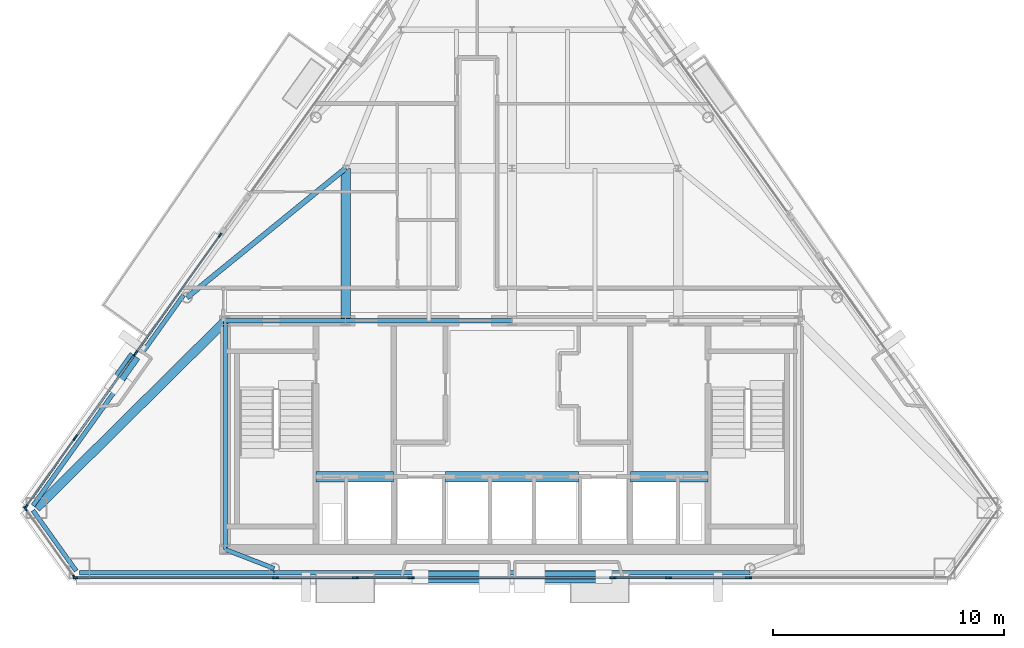
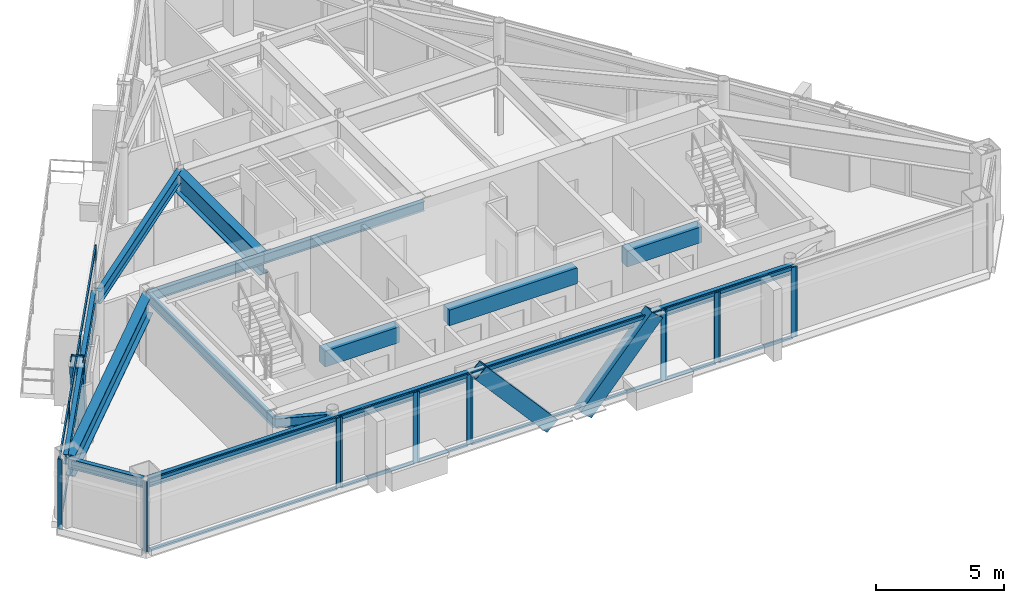
# One storey, part 4 of 12: 42 members, 14 beams, 11 elements without a shape of their own.
"""IFC4 building model written with IfcOpenShell, lengths in metres."""

from ifc_helpers import new_model, si_unit, direction, frame, origin, origin_2d, place, context, subcontext, project, spatial, rectangle, hollow_rectangle, i_section, extrude, material, layer, layer_set, material_profile, profile_set, type_object, element, aggregate, save


model = new_model("IFC4")

# Units and contexts
model_context = context("Model", 3, precision=1e-05, world=origin(), true_north=direction((0.0, 1.0)))
body_context = subcontext(model_context, "Body", "Model", "MODEL_VIEW")
ifc_project = project(units=[si_unit("LENGTHUNIT", "METRE"), si_unit("AREAUNIT", "SQUARE_METRE"), si_unit("VOLUMEUNIT", "CUBIC_METRE"), si_unit("PLANEANGLEUNIT", "RADIAN"), si_unit("MASSUNIT", "GRAM", prefix="KILO")], contexts=[model_context])

# Site, building, storey
site_placement = place(None, origin())
site = spatial("IfcSite", under=ifc_project, at=site_placement, CompositionType="ELEMENT")
building_placement = place(site_placement, origin())
building = spatial("IfcBuilding", under=site, at=building_placement, Name="Talgorran Terracotta Tower", CompositionType="ELEMENT")
storey_placement = place(building_placement, frame((0.0, 0.0, 263.39990234375)))
storey = spatial("IfcBuildingStorey", under=building, at=storey_placement, Name="L69", CompositionType="ELEMENT", Elevation=263.39990234375)

# Beams
ifc_material_1 = material(Name="Steel Grade 350 (350L0)", Category="steel")
ifc_material_profile_1 = material_profile(ifc_material_1, i_section(OverallWidth=0.39990234375, OverallDepth=1.0, WebThickness=0.01611328125, FlangeThickness=0.031005859375, at=origin_2d()), Name="1000WB296")
ifc_profile_set_1 = profile_set([ifc_material_profile_1], Name="Steel Grade 350 (350L0)")
beam_type_1 = type_object("IfcBeamType", Name="BM_1000WB296", PredefinedType="BEAM", material=ifc_profile_set_1)
beam_1_placement = place(storey_placement, frame((-7.199951171875, -4.199951171875, 2.84521484375), z_axis=(0.0, 1.0, 0.0), x_axis=(-1.0, 0.0, 0.0)))
element("IfcBeam", 1, at=beam_1_placement, inside=storey, type_object=beam_type_1, Name="L69 Floor Girder G01", PredefinedType="BEAM", context=body_context, shape_type="SweptSolid", body=[
    extrude(i_section(OverallWidth=0.39990234375, OverallDepth=1.0, WebThickness=0.01611328125, FlangeThickness=0.031005859375, at=origin_2d()), origin(), (0.0, 0.0, 1.0), 6.599853515625),
])
beam_2_placement = place(storey_placement, frame((-12.39990234375, -4.199951171875, 2.84521484375), z_axis=(-0.710637755688, -0.703558085868, 0.0), x_axis=(0.703558085868, -0.710637755688, 0.0)))
element("IfcBeam", 2, at=beam_2_placement, inside=storey, type_object=beam_type_1, Name="L69 Floor Girder G17", PredefinedType="BEAM", context=body_context, shape_type="SweptSolid", body=[
    extrude(i_section(OverallWidth=0.39990234375, OverallDepth=1.0, WebThickness=0.01611328125, FlangeThickness=0.031005859375, at=origin_2d()), origin(), (0.0, 0.0, 1.0), 11.517822265625),
])
ifc_material_2 = material(Name="Steel S355 (300PLUS)", Category="steel")
ifc_material_profile_2 = material_profile(ifc_material_2, i_section(OverallWidth=0.22802734375, OverallDepth=0.60205078125, WebThickness=0.010498046875, FlangeThickness=0.014892578125, at=origin_2d()), Name="610UB101")
ifc_profile_set_2 = profile_set([ifc_material_profile_2], Name="Steel S355 (300PLUS)")
beam_type_2 = type_object("IfcBeamType", Name="BM_610UB101", PredefinedType="BEAM", material=ifc_profile_set_2)
beam_3_placement = place(storey_placement, frame((-7.199951171875, 2.39990234375, 3.044189453125), z_axis=(-0.775393850299, -0.631477930667, 0.0), x_axis=(0.631477930667, -0.775393850299, 0.0)))
element("IfcBeam", 3, at=beam_3_placement, inside=storey, type_object=beam_type_2, Name="L69 Floor Girder G06", PredefinedType="BEAM", context=body_context, shape_type="SweptSolid", body=[
    extrude(i_section(OverallWidth=0.22802734375, OverallDepth=0.60205078125, WebThickness=0.010498046875, FlangeThickness=0.014892578125, at=origin_2d()), origin(), (0.0, 0.0, 1.0), 8.862060546875),
])
ifc_material_3 = material(Name="Concrete C50/60", Category="concrete")
ifc_material_profile_3 = material_profile(ifc_material_3, rectangle(XDim=0.449951171875, YDim=0.75, at=origin_2d()), Name="RCCB450X750")
ifc_profile_set_3 = profile_set([ifc_material_profile_3], Name="Concrete C50/60")
beam_type_3 = type_object("IfcBeamType", Name="BM_CB_450X750", PredefinedType="LINTEL", material=ifc_profile_set_3)
beam_4_placement = place(storey_placement, frame((-8.47998046875, -10.949951171875, 2.97021484375), z_axis=(1.0, 0.0, 0.0), x_axis=(0.0, 1.0, 0.0)))
element("IfcBeam", 4, at=beam_4_placement, inside=storey, type_object=beam_type_3, Name="L69 Core Shear-Wall Coupling Beam CB1", PredefinedType="LINTEL", context=body_context, shape_type="SweptSolid", body=[
    extrude(rectangle(XDim=0.449951171875, YDim=0.75, at=origin_2d()), origin(), (0.0, 0.0, 1.0), 3.35986328125),
])
beam_5_placement = place(storey_placement, frame((-2.8798828125, -10.949951171875, 2.97021484375), z_axis=(1.0, 0.0, 0.0), x_axis=(0.0, 1.0, 0.0)))
element("IfcBeam", 5, at=beam_5_placement, inside=storey, type_object=beam_type_3, Name="L69 Core Shear-Wall Coupling Beam CB2", PredefinedType="LINTEL", context=body_context, shape_type="SweptSolid", body=[
    extrude(rectangle(XDim=0.449951171875, YDim=0.75, at=origin_2d()), origin(), (0.0, 0.0, 1.0), 5.759765625),
])
beam_6_placement = place(storey_placement, frame((5.1201171875, -10.949951171875, 2.97021484375), z_axis=(1.0, 0.0, 0.0), x_axis=(0.0, 1.0, 0.0)))
element("IfcBeam", 6, at=beam_6_placement, inside=storey, type_object=beam_type_3, Name="L69 Core Shear-Wall Coupling Beam CB3", PredefinedType="LINTEL", context=body_context, shape_type="SweptSolid", body=[
    extrude(rectangle(XDim=0.449951171875, YDim=0.75, at=origin_2d()), origin(), (0.0, 0.0, 1.0), 3.35986328125),
])
ifc_material_profile_4 = material_profile(ifc_material_2, i_section(OverallWidth=0.18994140625, OverallDepth=0.45703125, WebThickness=0.009033203125, FlangeThickness=0.014404296875, at=origin_2d()), Name="460UB74.6")
ifc_profile_set_4 = profile_set([ifc_material_profile_4], Name="Steel S355 (300PLUS)")
beam_type_4 = type_object("IfcBeamType", Name="BM_SP_460UB74", PredefinedType="SPANDREL", material=ifc_profile_set_4)
beam_7_placement = place(storey_placement, frame((-20.731201171875, -12.408203125, 3.11669921875), z_axis=(0.581733647308, -0.8133793479, 0.0), x_axis=(0.8133793479, 0.581733647308, 0.0)))
element("IfcBeam", 7, at=beam_7_placement, inside=storey, type_object=beam_type_4, Name="L69 Perimeter Spandrel Beam MC1-MC2", PredefinedType="SPANDREL", context=body_context, shape_type="SweptSolid", body=[
    extrude(i_section(OverallWidth=0.18994140625, OverallDepth=0.45703125, WebThickness=0.009033203125, FlangeThickness=0.014404296875, at=origin_2d()), origin(), (0.0, 0.0, 1.0), 3.215576171875),
])
beam_8_placement = place(storey_placement, frame((-18.71435546875, -15.098876953125, 3.11669921875), z_axis=(1.0, 0.0, 0.0), x_axis=(0.0, 1.0, 0.0)))
element("IfcBeam", 8, at=beam_8_placement, inside=storey, type_object=beam_type_4, Name="L69 Perimeter Spandrel Beam MC2-FC1", PredefinedType="SPANDREL", context=body_context, shape_type="SweptSolid", body=[
    extrude(i_section(OverallWidth=0.18994140625, OverallDepth=0.45703125, WebThickness=0.009033203125, FlangeThickness=0.014404296875, at=origin_2d()), origin(), (0.0, 0.0, 1.0), 8.42138671875),
])
beam_9_placement = place(storey_placement, frame((-10.29296875, -15.098876953125, 3.11669921875), z_axis=(1.0, 0.0, 0.0), x_axis=(0.0, 1.0, 0.0)))
element("IfcBeam", 9, at=beam_9_placement, inside=storey, type_object=beam_type_4, Name="L69 Perimeter Spandrel Beam FC1-FC2", PredefinedType="SPANDREL", context=body_context, shape_type="SweptSolid", body=[
    extrude(i_section(OverallWidth=0.18994140625, OverallDepth=0.45703125, WebThickness=0.009033203125, FlangeThickness=0.014404296875, at=origin_2d()), origin(), (0.0, 0.0, 1.0), 20.5859375),
])
beam_10_placement = place(storey_placement, frame((-14.218017578125, -3.091796875, 3.11669921875), z_axis=(-0.581724880889, -0.813385617622, 0.0), x_axis=(0.813385617622, -0.581724880889, 0.0)))
element("IfcBeam", 10, at=beam_10_placement, inside=storey, type_object=beam_type_4, Name="L69 Perimeter Spandrel Beam FC6-MC1", PredefinedType="SPANDREL", context=body_context, shape_type="SweptSolid", body=[
    extrude(i_section(OverallWidth=0.18994140625, OverallDepth=0.45703125, WebThickness=0.009033203125, FlangeThickness=0.014404296875, at=origin_2d()), origin(), (0.0, 0.0, 1.0), 11.1962890625),
])
beam_11_placement = place(storey_placement, frame((-10.29296875, -14.9189453125, 3.11669921875), z_axis=(-0.932081672707, 0.362248195859, 0.0), x_axis=(-0.362248195859, -0.932081672707, 0.0)))
element("IfcBeam", 11, at=beam_11_placement, inside=storey, type_object=beam_type_4, Name="L69 South-West Core Tie Beam", PredefinedType="SPANDREL", context=body_context, shape_type="SweptSolid", body=[
    extrude(i_section(OverallWidth=0.18994140625, OverallDepth=0.45703125, WebThickness=0.009033203125, FlangeThickness=0.014404296875, at=origin_2d()), origin(), (0.0, 0.0, 1.0), 2.260498046875),
])
beam_12_placement = place(storey_placement, frame((-12.39990234375, -14.10009765625, 3.11669921875), z_axis=(0.0, 1.0, 0.0), x_axis=(-1.0, 0.0, 0.0)))
element("IfcBeam", 12, at=beam_12_placement, inside=storey, type_object=beam_type_4, Name="L69 Core Frame Beam CFW", PredefinedType="SPANDREL", context=body_context, shape_type="SweptSolid", body=[
    extrude(i_section(OverallWidth=0.18994140625, OverallDepth=0.45703125, WebThickness=0.009033203125, FlangeThickness=0.014404296875, at=origin_2d()), origin(), (0.0, 0.0, 1.0), 9.900146484375),
])
beam_13_placement = place(storey_placement, frame((-12.39990234375, -4.199951171875, 3.11669921875), z_axis=(1.0, 0.0, 0.0), x_axis=(0.0, 1.0, 0.0)))
element("IfcBeam", 13, at=beam_13_placement, inside=storey, type_object=beam_type_4, Name="L69 Core Frame Beam CFN1", PredefinedType="SPANDREL", context=body_context, shape_type="SweptSolid", body=[
    extrude(i_section(OverallWidth=0.18994140625, OverallDepth=0.45703125, WebThickness=0.009033203125, FlangeThickness=0.014404296875, at=origin_2d()), origin(), (0.0, 0.0, 1.0), 5.199951171875),
])
beam_14_placement = place(storey_placement, frame((-7.199951171875, -4.199951171875, 3.11669921875), z_axis=(1.0, 0.0, 0.0), x_axis=(0.0, 1.0, 0.0)))
element("IfcBeam", 14, at=beam_14_placement, inside=storey, type_object=beam_type_4, Name="L69 Core Frame Beam CFN2", PredefinedType="SPANDREL", context=body_context, shape_type="SweptSolid", body=[
    extrude(i_section(OverallWidth=0.18994140625, OverallDepth=0.45703125, WebThickness=0.009033203125, FlangeThickness=0.014404296875, at=origin_2d()), origin(), (0.0, 0.0, 1.0), 7.199951171875),
])

# Members
ifc_material_profile_5 = material_profile(ifc_material_1, hollow_rectangle(XDim=0.52001953125, YDim=0.659912109375, WallThickness=0.034912109375, at=origin_2d()), Name="WBOX660X520X35")
ifc_profile_set_5 = profile_set([ifc_material_profile_5], Name="Steel Grade 350 (350L0)")
member_type_1 = type_object("IfcMemberType", Name="MB_MEGA_660", PredefinedType="BRACE", material=ifc_profile_set_5)
for number, where, z_axis, x_axis, name in (
    (15, (-0.756103515625, -15.27880859375, -0.27490234375), (-0.661239328475, 0.0, 0.750175013232), (0.0, -1.0, 0.0), "L69 Exterior Face Mega-Brace MB-3 (SWF)"),
    (16, (0.756103515625, -15.27880859375, -0.27490234375), (0.661239328475, 0.0, 0.750175013232), (0.0, 1.0, 0.0), "L69 Exterior Face Mega-Brace MB-3 (SEF)"),
):
    element("IfcMember", number, at=place(storey_placement, frame(where, z_axis=z_axis, x_axis=x_axis)), inside=storey, type_object=member_type_1, Name=name, PredefinedType="BRACE", context=body_context, shape_type="SweptSolid", body=[
        extrude(hollow_rectangle(XDim=0.52001953125, YDim=0.659912109375, WallThickness=0.034912109375, at=origin_2d()), origin(), (0.0, 0.0, 1.0), 4.85888671875),
    ])
member_1_placement = place(storey_placement, frame((-16.499267578125, -5.97216796875, -0.27490234375), z_axis=(-0.181952212271, -0.254351379252, 0.94984144378), x_axis=(0.813320904376, -0.581815354306, 0.0)))
element("IfcMember", 17, at=member_1_placement, inside=storey, type_object=member_type_1, Name="L69 Exterior Face Mega-Brace MB-3 (NWL)", PredefinedType="BRACE", context=body_context, shape_type="SweptSolid", body=[
    extrude(hollow_rectangle(XDim=0.52001953125, YDim=0.659912109375, WallThickness=0.034912109375, at=origin_2d()), origin(), (0.0, 0.0, 1.0), 3.83740234375),
])

# Curtain wall, members
ifc_material_4 = material(Name="High-Wind Unitised Glazing", Category="glass")
ifc_layer = layer(ifc_material_4, 0.2099609375, Name="CW_SYS3_RES_HIGH")
ifc_layer_set = layer_set([ifc_layer], Name="High-Wind Unitised Glazing")
curtain_wall_type = type_object("IfcCurtainWallType", Name="CW_SYS3_RES_HIGH", PredefinedType="NOTDEFINED", material=ifc_layer_set)
curtain_wall_1_placement = place(storey_placement, origin())
curtain_wall_1 = element("IfcCurtainWall", 18, at=curtain_wall_1_placement, inside=storey, type_object=curtain_wall_type, Name="CW-L69-F0", PredefinedType="NOTDEFINED")
ifc_material_5 = material(Name="Architectural Aluminium 6063-T6", Category="aluminium")
ifc_material_profile_6 = material_profile(ifc_material_5, rectangle(XDim=0.070068359375, YDim=0.199951171875, at=origin_2d()), Name="CWM70X200")
ifc_profile_set_6 = profile_set([ifc_material_profile_6], Name="Architectural Aluminium 6063-T6")
member_type_2 = type_object("IfcMemberType", Name="MUL_70X200", PredefinedType="MULLION", material=ifc_profile_set_6)
member_2_placement = place(storey_placement, frame((-21.056396484375, -12.33203125, 0.0), z_axis=(0.0, 0.0, 1.0), x_axis=(0.813370623345, 0.581745845777, 0.0)))
member_2 = element("IfcMember", 19, at=member_2_placement, type_object=member_type_2, Name="CW-L69-0 mullion 1", PredefinedType="MULLION", context=body_context, shape_type="SweptSolid", body=[
    extrude(rectangle(XDim=0.070068359375, YDim=0.199951171875, at=origin_2d()), origin(), (0.0, 0.0, 1.0), 3.34521484375),
])
member_3_placement = place(storey_placement, frame((-18.9404296875, -15.29052734375, 0.0), z_axis=(0.0, 0.0, 1.0), x_axis=(0.813370623345, 0.581745845777, 0.0)))
member_3 = element("IfcMember", 20, at=member_3_placement, type_object=member_type_2, Name="CW-L69-0 mullion 2", PredefinedType="MULLION", context=body_context, shape_type="SweptSolid", body=[
    extrude(rectangle(XDim=0.070068359375, YDim=0.199951171875, at=origin_2d()), origin(), (0.0, 0.0, 1.0), 3.34521484375),
])
aggregate(curtain_wall_1, [member_2, member_3])

curtain_wall_2_placement = place(storey_placement, origin())
curtain_wall_2 = element("IfcCurtainWall", 21, at=curtain_wall_2_placement, inside=storey, type_object=curtain_wall_type, Name="CW-L69-F1", PredefinedType="NOTDEFINED")
member_4_placement = place(storey_placement, frame((-18.885009765625, -15.31884765625, 0.0), z_axis=(0.0, 0.0, 1.0), x_axis=(0.0, 1.0, 0.0)))
member_4 = element("IfcMember", 22, at=member_4_placement, type_object=member_type_2, Name="CW-L69-1 mullion 1", PredefinedType="MULLION", context=body_context, shape_type="SweptSolid", body=[
    extrude(rectangle(XDim=0.070068359375, YDim=0.199951171875, at=origin_2d()), origin(), (0.0, 0.0, 1.0), 3.34521484375),
])
member_5_placement = place(storey_placement, frame((-10.278076171875, -15.31884765625, 0.0), z_axis=(0.0, 0.0, 1.0), x_axis=(0.0, 1.0, 0.0)))
member_5 = element("IfcMember", 23, at=member_5_placement, type_object=member_type_2, Name="CW-L69-1 mullion 2", PredefinedType="MULLION", context=body_context, shape_type="SweptSolid", body=[
    extrude(rectangle(XDim=0.070068359375, YDim=0.199951171875, at=origin_2d()), origin(), (0.0, 0.0, 1.0), 3.34521484375),
])

curtain_wall_3_placement = place(storey_placement, origin())
curtain_wall_3 = element("IfcCurtainWall", 24, at=curtain_wall_3_placement, inside=storey, type_object=curtain_wall_type, Name="CW-L69-F1B", PredefinedType="NOTDEFINED")
member_6_placement = place(storey_placement, frame((-10.197998046875, -15.31884765625, 0.0), z_axis=(0.0, 0.0, 1.0), x_axis=(0.0, 1.0, 0.0)))
member_6 = element("IfcMember", 25, at=member_6_placement, type_object=member_type_2, Name="CW-L69-1B mullion 1", PredefinedType="MULLION", context=body_context, shape_type="SweptSolid", body=[
    extrude(rectangle(XDim=0.070068359375, YDim=0.199951171875, at=origin_2d()), origin(), (0.0, 0.0, 1.0), 3.34521484375),
])
member_7_placement = place(storey_placement, frame((-6.8115234375, -15.31884765625, 0.0), z_axis=(0.0, 0.0, 1.0), x_axis=(0.0, 1.0, 0.0)))
member_7 = element("IfcMember", 26, at=member_7_placement, type_object=member_type_2, Name="CW-L69-1B mullion 2", PredefinedType="MULLION", context=body_context, shape_type="SweptSolid", body=[
    extrude(rectangle(XDim=0.070068359375, YDim=0.199951171875, at=origin_2d()), origin(), (0.0, 0.0, 1.0), 3.34521484375),
])

curtain_wall_4_placement = place(storey_placement, origin())
curtain_wall_4 = element("IfcCurtainWall", 27, at=curtain_wall_4_placement, inside=storey, type_object=curtain_wall_type, Name="CW-L69-F1C", PredefinedType="NOTDEFINED")
member_8_placement = place(storey_placement, frame((-6.7314453125, -15.31884765625, 0.0), z_axis=(0.0, 0.0, 1.0), x_axis=(0.0, 1.0, 0.0)))
member_8 = element("IfcMember", 28, at=member_8_placement, type_object=member_type_2, Name="CW-L69-1C mullion 1", PredefinedType="MULLION", context=body_context, shape_type="SweptSolid", body=[
    extrude(rectangle(XDim=0.070068359375, YDim=0.199951171875, at=origin_2d()), origin(), (0.0, 0.0, 1.0), 3.34521484375),
])
member_9_placement = place(storey_placement, frame((-4.406494140625, -15.31884765625, 0.0), z_axis=(0.0, 0.0, 1.0), x_axis=(0.0, 1.0, 0.0)))
member_9 = element("IfcMember", 29, at=member_9_placement, type_object=member_type_2, Name="CW-L69-1C mullion 2", PredefinedType="MULLION", context=body_context, shape_type="SweptSolid", body=[
    extrude(rectangle(XDim=0.070068359375, YDim=0.199951171875, at=origin_2d()), origin(), (0.0, 0.0, 1.0), 3.34521484375),
])

curtain_wall_5_placement = place(storey_placement, origin())
curtain_wall_5 = element("IfcCurtainWall", 30, at=curtain_wall_5_placement, inside=storey, type_object=curtain_wall_type, Name="CW-L69-F1D", PredefinedType="NOTDEFINED")
member_10_placement = place(storey_placement, frame((-4.326416015625, -15.31884765625, 0.0), z_axis=(0.0, 0.0, 1.0), x_axis=(0.0, 1.0, 0.0)))
member_10 = element("IfcMember", 31, at=member_10_placement, type_object=member_type_2, Name="CW-L69-1D mullion 1", PredefinedType="MULLION", context=body_context, shape_type="SweptSolid", body=[
    extrude(rectangle(XDim=0.070068359375, YDim=0.199951171875, at=origin_2d()), origin(), (0.0, 0.0, 1.0), 3.34521484375),
])
member_11_placement = place(storey_placement, frame((4.326416015625, -15.31884765625, 0.0), z_axis=(0.0, 0.0, 1.0), x_axis=(0.0, 1.0, 0.0)))
member_11 = element("IfcMember", 32, at=member_11_placement, type_object=member_type_2, Name="CW-L69-1D mullion 2", PredefinedType="MULLION", context=body_context, shape_type="SweptSolid", body=[
    extrude(rectangle(XDim=0.070068359375, YDim=0.199951171875, at=origin_2d()), origin(), (0.0, 0.0, 1.0), 3.34521484375),
])

curtain_wall_6_placement = place(storey_placement, origin())
curtain_wall_6 = element("IfcCurtainWall", 33, at=curtain_wall_6_placement, inside=storey, type_object=curtain_wall_type, Name="CW-L69-F1E", PredefinedType="NOTDEFINED")
member_12_placement = place(storey_placement, frame((4.406494140625, -15.31884765625, 0.0), z_axis=(0.0, 0.0, 1.0), x_axis=(0.0, 1.0, 0.0)))
member_12 = element("IfcMember", 34, at=member_12_placement, type_object=member_type_2, Name="CW-L69-1E mullion 1", PredefinedType="MULLION", context=body_context, shape_type="SweptSolid", body=[
    extrude(rectangle(XDim=0.070068359375, YDim=0.199951171875, at=origin_2d()), origin(), (0.0, 0.0, 1.0), 3.34521484375),
])
member_13_placement = place(storey_placement, frame((6.7314453125, -15.31884765625, 0.0), z_axis=(0.0, 0.0, 1.0), x_axis=(0.0, 1.0, 0.0)))
member_13 = element("IfcMember", 35, at=member_13_placement, type_object=member_type_2, Name="CW-L69-1E mullion 2", PredefinedType="MULLION", context=body_context, shape_type="SweptSolid", body=[
    extrude(rectangle(XDim=0.070068359375, YDim=0.199951171875, at=origin_2d()), origin(), (0.0, 0.0, 1.0), 3.34521484375),
])

curtain_wall_7_placement = place(storey_placement, origin())
curtain_wall_7 = element("IfcCurtainWall", 36, at=curtain_wall_7_placement, inside=storey, type_object=curtain_wall_type, Name="CW-L69-F1F", PredefinedType="NOTDEFINED")
member_14_placement = place(storey_placement, frame((6.8115234375, -15.31884765625, 0.0), z_axis=(0.0, 0.0, 1.0), x_axis=(0.0, 1.0, 0.0)))
member_14 = element("IfcMember", 37, at=member_14_placement, type_object=member_type_2, Name="CW-L69-1F mullion 1", PredefinedType="MULLION", context=body_context, shape_type="SweptSolid", body=[
    extrude(rectangle(XDim=0.070068359375, YDim=0.199951171875, at=origin_2d()), origin(), (0.0, 0.0, 1.0), 3.34521484375),
])
member_15_placement = place(storey_placement, frame((10.197998046875, -15.31884765625, 0.0), z_axis=(0.0, 0.0, 1.0), x_axis=(0.0, 1.0, 0.0)))
member_15 = element("IfcMember", 38, at=member_15_placement, type_object=member_type_2, Name="CW-L69-1F mullion 2", PredefinedType="MULLION", context=body_context, shape_type="SweptSolid", body=[
    extrude(rectangle(XDim=0.070068359375, YDim=0.199951171875, at=origin_2d()), origin(), (0.0, 0.0, 1.0), 3.34521484375),
])

# Curtain wall, member
curtain_wall_8_placement = place(storey_placement, origin())
curtain_wall_8 = element("IfcCurtainWall", 39, at=curtain_wall_8_placement, inside=storey, type_object=curtain_wall_type, Name="CW-L69-F1G", PredefinedType="NOTDEFINED")
member_16_placement = place(storey_placement, frame((10.278076171875, -15.31884765625, 0.0), z_axis=(0.0, 0.0, 1.0), x_axis=(0.0, 1.0, 0.0)))
member_16 = element("IfcMember", 40, at=member_16_placement, type_object=member_type_2, Name="CW-L69-1G mullion 1", PredefinedType="MULLION", context=body_context, shape_type="SweptSolid", body=[
    extrude(rectangle(XDim=0.070068359375, YDim=0.199951171875, at=origin_2d()), origin(), (0.0, 0.0, 1.0), 3.34521484375),
])
aggregate(curtain_wall_8, [member_16])

# Curtain wall, members
curtain_wall_9_placement = place(storey_placement, origin())
curtain_wall_9 = element("IfcCurtainWall", 41, at=curtain_wall_9_placement, inside=storey, type_object=curtain_wall_type, Name="CW-L69-F61", PredefinedType="NOTDEFINED")
member_17_placement = place(storey_placement, frame((-12.632080078125, -0.496337890625, 0.0), z_axis=(0.0, 0.0, 1.0), x_axis=(0.813388374406, -0.58172102625, 0.0)))
member_17 = element("IfcMember", 42, at=member_17_placement, type_object=member_type_2, Name="CW-L69-61 mullion 1", PredefinedType="MULLION", context=body_context, shape_type="SweptSolid", body=[
    extrude(rectangle(XDim=0.070068359375, YDim=0.199951171875, at=origin_2d()), origin(), (0.0, 0.0, 1.0), 3.34521484375),
])
member_18_placement = place(storey_placement, frame((-16.271728515625, -5.58544921875, 0.0), z_axis=(0.0, 0.0, 1.0), x_axis=(0.813388374406, -0.58172102625, 0.0)))
member_18 = element("IfcMember", 43, at=member_18_placement, type_object=member_type_2, Name="CW-L69-61 mullion 2", PredefinedType="MULLION", context=body_context, shape_type="SweptSolid", body=[
    extrude(rectangle(XDim=0.070068359375, YDim=0.199951171875, at=origin_2d()), origin(), (0.0, 0.0, 1.0), 3.34521484375),
])

curtain_wall_10_placement = place(storey_placement, origin())
curtain_wall_10 = element("IfcCurtainWall", 44, at=curtain_wall_10_placement, inside=storey, type_object=curtain_wall_type, Name="CW-L69-F61B", PredefinedType="NOTDEFINED")
member_19_placement = place(storey_placement, frame((-16.318359375, -5.650390625, 0.0), z_axis=(0.0, 0.0, 1.0), x_axis=(0.813380180125, -0.58173248369, 0.0)))
member_19 = element("IfcMember", 45, at=member_19_placement, type_object=member_type_2, Name="CW-L69-61B mullion 1", PredefinedType="MULLION", context=body_context, shape_type="SweptSolid", body=[
    extrude(rectangle(XDim=0.070068359375, YDim=0.199951171875, at=origin_2d()), origin(), (0.0, 0.0, 1.0), 3.34521484375),
])
member_20_placement = place(storey_placement, frame((-18.87109375, -9.2197265625, 0.0), z_axis=(0.0, 0.0, 1.0), x_axis=(0.813380180125, -0.58173248369, 0.0)))
member_20 = element("IfcMember", 46, at=member_20_placement, type_object=member_type_2, Name="CW-L69-61B mullion 2", PredefinedType="MULLION", context=body_context, shape_type="SweptSolid", body=[
    extrude(rectangle(XDim=0.070068359375, YDim=0.199951171875, at=origin_2d()), origin(), (0.0, 0.0, 1.0), 3.34521484375),
])

curtain_wall_11_placement = place(storey_placement, origin())
curtain_wall_11 = element("IfcCurtainWall", 47, at=curtain_wall_11_placement, inside=storey, type_object=curtain_wall_type, Name="CW-L69-F61C", PredefinedType="NOTDEFINED")
member_21_placement = place(storey_placement, frame((-18.917724609375, -9.28466796875, 0.0), z_axis=(0.0, 0.0, 1.0), x_axis=(0.813383305425, -0.581728113861, 0.0)))
member_21 = element("IfcMember", 48, at=member_21_placement, type_object=member_type_2, Name="CW-L69-61C mullion 1", PredefinedType="MULLION", context=body_context, shape_type="SweptSolid", body=[
    extrude(rectangle(XDim=0.070068359375, YDim=0.199951171875, at=origin_2d()), origin(), (0.0, 0.0, 1.0), 3.34521484375),
])
member_22_placement = place(storey_placement, frame((-21.032958984375, -12.242431640625, 0.0), z_axis=(0.0, 0.0, 1.0), x_axis=(0.813383305425, -0.581728113861, 0.0)))
member_22 = element("IfcMember", 49, at=member_22_placement, type_object=member_type_2, Name="CW-L69-61C mullion 2", PredefinedType="MULLION", context=body_context, shape_type="SweptSolid", body=[
    extrude(rectangle(XDim=0.070068359375, YDim=0.199951171875, at=origin_2d()), origin(), (0.0, 0.0, 1.0), 3.34521484375),
])

# Member
ifc_material_profile_7 = material_profile(ifc_material_5, rectangle(XDim=0.070068359375, YDim=0.159912109375, at=origin_2d()), Name="CWT70X160")
ifc_profile_set_7 = profile_set([ifc_material_profile_7], Name="Architectural Aluminium 6063-T6")
member_type_3 = type_object("IfcMemberType", Name="TRN_70X160", PredefinedType="USERDEFINED", material=ifc_profile_set_7)
member_23_placement = place(storey_placement, frame((-18.85009765625, -15.31884765625, 0.03515625), z_axis=(1.0, 0.0, 0.0), x_axis=(0.0, 1.0, 0.0)))
member_23 = element("IfcMember", 50, at=member_23_placement, type_object=member_type_3, Name="CW-L69-1 transom 1.1", ObjectType="TRANSOM", PredefinedType="USERDEFINED", context=body_context, shape_type="SweptSolid", body=[
    extrude(rectangle(XDim=0.070068359375, YDim=0.159912109375, at=origin_2d()), origin(), (0.0, 0.0, 1.0), 8.537109375),
])

member_24_placement = place(storey_placement, frame((-18.85009765625, -15.31884765625, 3.31005859375), z_axis=(1.0, 0.0, 0.0), x_axis=(0.0, 1.0, 0.0)))
member_24 = element("IfcMember", 51, at=member_24_placement, type_object=member_type_3, Name="CW-L69-1 transom 1.2", ObjectType="TRANSOM", PredefinedType="USERDEFINED", context=body_context, shape_type="SweptSolid", body=[
    extrude(rectangle(XDim=0.070068359375, YDim=0.159912109375, at=origin_2d()), origin(), (0.0, 0.0, 1.0), 8.537109375),
])

aggregate(curtain_wall_2, [member_4, member_5, member_23, member_24])

member_25_placement = place(storey_placement, frame((-10.1630859375, -15.31884765625, 0.03515625), z_axis=(1.0, 0.0, 0.0), x_axis=(0.0, 1.0, 0.0)))
member_25 = element("IfcMember", 52, at=member_25_placement, type_object=member_type_3, Name="CW-L69-1B transom 1.1", ObjectType="TRANSOM", PredefinedType="USERDEFINED", context=body_context, shape_type="SweptSolid", body=[
    extrude(rectangle(XDim=0.070068359375, YDim=0.159912109375, at=origin_2d()), origin(), (0.0, 0.0, 1.0), 3.316650390625),
])

member_26_placement = place(storey_placement, frame((-10.1630859375, -15.31884765625, 3.31005859375), z_axis=(1.0, 0.0, 0.0), x_axis=(0.0, 1.0, 0.0)))
member_26 = element("IfcMember", 53, at=member_26_placement, type_object=member_type_3, Name="CW-L69-1B transom 1.2", ObjectType="TRANSOM", PredefinedType="USERDEFINED", context=body_context, shape_type="SweptSolid", body=[
    extrude(rectangle(XDim=0.070068359375, YDim=0.159912109375, at=origin_2d()), origin(), (0.0, 0.0, 1.0), 3.316650390625),
])

aggregate(curtain_wall_3, [member_6, member_7, member_25, member_26])

member_27_placement = place(storey_placement, frame((-6.696533203125, -15.31884765625, 0.03515625), z_axis=(1.0, 0.0, 0.0), x_axis=(0.0, 1.0, 0.0)))
member_27 = element("IfcMember", 54, at=member_27_placement, type_object=member_type_3, Name="CW-L69-1C transom 1.1", ObjectType="TRANSOM", PredefinedType="USERDEFINED", context=body_context, shape_type="SweptSolid", body=[
    extrude(rectangle(XDim=0.070068359375, YDim=0.159912109375, at=origin_2d()), origin(), (0.0, 0.0, 1.0), 2.255126953125),
])

member_28_placement = place(storey_placement, frame((-6.696533203125, -15.31884765625, 3.31005859375), z_axis=(1.0, 0.0, 0.0), x_axis=(0.0, 1.0, 0.0)))
member_28 = element("IfcMember", 55, at=member_28_placement, type_object=member_type_3, Name="CW-L69-1C transom 1.2", ObjectType="TRANSOM", PredefinedType="USERDEFINED", context=body_context, shape_type="SweptSolid", body=[
    extrude(rectangle(XDim=0.070068359375, YDim=0.159912109375, at=origin_2d()), origin(), (0.0, 0.0, 1.0), 2.255126953125),
])

aggregate(curtain_wall_4, [member_8, member_9, member_27, member_28])

member_29_placement = place(storey_placement, frame((-4.29150390625, -15.31884765625, 0.03515625), z_axis=(1.0, 0.0, 0.0), x_axis=(0.0, 1.0, 0.0)))
member_29 = element("IfcMember", 56, at=member_29_placement, type_object=member_type_3, Name="CW-L69-1D transom 1.1", ObjectType="TRANSOM", PredefinedType="USERDEFINED", context=body_context, shape_type="SweptSolid", body=[
    extrude(rectangle(XDim=0.070068359375, YDim=0.159912109375, at=origin_2d()), origin(), (0.0, 0.0, 1.0), 8.5830078125),
])

member_30_placement = place(storey_placement, frame((-4.29150390625, -15.31884765625, 3.31005859375), z_axis=(1.0, 0.0, 0.0), x_axis=(0.0, 1.0, 0.0)))
member_30 = element("IfcMember", 57, at=member_30_placement, type_object=member_type_3, Name="CW-L69-1D transom 1.2", ObjectType="TRANSOM", PredefinedType="USERDEFINED", context=body_context, shape_type="SweptSolid", body=[
    extrude(rectangle(XDim=0.070068359375, YDim=0.159912109375, at=origin_2d()), origin(), (0.0, 0.0, 1.0), 8.5830078125),
])

aggregate(curtain_wall_5, [member_10, member_11, member_29, member_30])

member_31_placement = place(storey_placement, frame((4.44140625, -15.31884765625, 0.03515625), z_axis=(1.0, 0.0, 0.0), x_axis=(0.0, 1.0, 0.0)))
member_31 = element("IfcMember", 58, at=member_31_placement, type_object=member_type_3, Name="CW-L69-1E transom 1.1", ObjectType="TRANSOM", PredefinedType="USERDEFINED", context=body_context, shape_type="SweptSolid", body=[
    extrude(rectangle(XDim=0.070068359375, YDim=0.159912109375, at=origin_2d()), origin(), (0.0, 0.0, 1.0), 2.255126953125),
])

member_32_placement = place(storey_placement, frame((4.44140625, -15.31884765625, 3.31005859375), z_axis=(1.0, 0.0, 0.0), x_axis=(0.0, 1.0, 0.0)))
member_32 = element("IfcMember", 59, at=member_32_placement, type_object=member_type_3, Name="CW-L69-1E transom 1.2", ObjectType="TRANSOM", PredefinedType="USERDEFINED", context=body_context, shape_type="SweptSolid", body=[
    extrude(rectangle(XDim=0.070068359375, YDim=0.159912109375, at=origin_2d()), origin(), (0.0, 0.0, 1.0), 2.255126953125),
])

aggregate(curtain_wall_6, [member_12, member_13, member_31, member_32])

member_33_placement = place(storey_placement, frame((6.846435546875, -15.31884765625, 0.03515625), z_axis=(1.0, 0.0, 0.0), x_axis=(0.0, 1.0, 0.0)))
member_33 = element("IfcMember", 60, at=member_33_placement, type_object=member_type_3, Name="CW-L69-1F transom 1.1", ObjectType="TRANSOM", PredefinedType="USERDEFINED", context=body_context, shape_type="SweptSolid", body=[
    extrude(rectangle(XDim=0.070068359375, YDim=0.159912109375, at=origin_2d()), origin(), (0.0, 0.0, 1.0), 3.316650390625),
])

member_34_placement = place(storey_placement, frame((6.846435546875, -15.31884765625, 3.31005859375), z_axis=(1.0, 0.0, 0.0), x_axis=(0.0, 1.0, 0.0)))
member_34 = element("IfcMember", 61, at=member_34_placement, type_object=member_type_3, Name="CW-L69-1F transom 1.2", ObjectType="TRANSOM", PredefinedType="USERDEFINED", context=body_context, shape_type="SweptSolid", body=[
    extrude(rectangle(XDim=0.070068359375, YDim=0.159912109375, at=origin_2d()), origin(), (0.0, 0.0, 1.0), 3.316650390625),
])

aggregate(curtain_wall_7, [member_14, member_15, member_33, member_34])

member_35_placement = place(storey_placement, frame((-12.652587890625, -0.524658203125, 0.03515625), z_axis=(-0.581712174656, -0.813394704837, 0.0), x_axis=(0.813394704837, -0.581712174656, 0.0)))
member_35 = element("IfcMember", 62, at=member_35_placement, type_object=member_type_3, Name="CW-L69-61 transom 1.1", ObjectType="TRANSOM", PredefinedType="USERDEFINED", context=body_context, shape_type="SweptSolid", body=[
    extrude(rectangle(XDim=0.070068359375, YDim=0.159912109375, at=origin_2d()), origin(), (0.0, 0.0, 1.0), 6.186767578125),
])

member_36_placement = place(storey_placement, frame((-12.652587890625, -0.524658203125, 3.31005859375), z_axis=(-0.581712174656, -0.813394704837, 0.0), x_axis=(0.813394704837, -0.581712174656, 0.0)))
member_36 = element("IfcMember", 63, at=member_36_placement, type_object=member_type_3, Name="CW-L69-61 transom 1.2", ObjectType="TRANSOM", PredefinedType="USERDEFINED", context=body_context, shape_type="SweptSolid", body=[
    extrude(rectangle(XDim=0.070068359375, YDim=0.159912109375, at=origin_2d()), origin(), (0.0, 0.0, 1.0), 6.186767578125),
])

aggregate(curtain_wall_9, [member_17, member_18, member_35, member_36])

member_37_placement = place(storey_placement, frame((-16.3388671875, -5.678955078125, 0.03515625), z_axis=(-0.581735480409, -0.813378036852, 0.0), x_axis=(0.813378036852, -0.581735480409, 0.0)))
member_37 = element("IfcMember", 64, at=member_37_placement, type_object=member_type_3, Name="CW-L69-61B transom 1.1", ObjectType="TRANSOM", PredefinedType="USERDEFINED", context=body_context, shape_type="SweptSolid", body=[
    extrude(rectangle(XDim=0.070068359375, YDim=0.159912109375, at=origin_2d()), origin(), (0.0, 0.0, 1.0), 4.318115234375),
])

member_38_placement = place(storey_placement, frame((-16.3388671875, -5.678955078125, 3.31005859375), z_axis=(-0.581735480409, -0.813378036852, 0.0), x_axis=(0.813378036852, -0.581735480409, 0.0)))
member_38 = element("IfcMember", 65, at=member_38_placement, type_object=member_type_3, Name="CW-L69-61B transom 1.2", ObjectType="TRANSOM", PredefinedType="USERDEFINED", context=body_context, shape_type="SweptSolid", body=[
    extrude(rectangle(XDim=0.070068359375, YDim=0.159912109375, at=origin_2d()), origin(), (0.0, 0.0, 1.0), 4.318115234375),
])

aggregate(curtain_wall_10, [member_19, member_20, member_37, member_38])

member_39_placement = place(storey_placement, frame((-18.93798828125, -9.313232421875, 0.03515625), z_axis=(-0.581730223056, -0.813381796934, 0.0), x_axis=(0.813381796934, -0.581730223056, 0.0)))
member_39 = element("IfcMember", 66, at=member_39_placement, type_object=member_type_3, Name="CW-L69-61C transom 1.1", ObjectType="TRANSOM", PredefinedType="USERDEFINED", context=body_context, shape_type="SweptSolid", body=[
    extrude(rectangle(XDim=0.070068359375, YDim=0.159912109375, at=origin_2d()), origin(), (0.0, 0.0, 1.0), 3.56640625),
])

member_40_placement = place(storey_placement, frame((-18.93798828125, -9.313232421875, 3.31005859375), z_axis=(-0.581730223056, -0.813381796934, 0.0), x_axis=(0.813381796934, -0.581730223056, 0.0)))
member_40 = element("IfcMember", 67, at=member_40_placement, type_object=member_type_3, Name="CW-L69-61C transom 1.2", ObjectType="TRANSOM", PredefinedType="USERDEFINED", context=body_context, shape_type="SweptSolid", body=[
    extrude(rectangle(XDim=0.070068359375, YDim=0.159912109375, at=origin_2d()), origin(), (0.0, 0.0, 1.0), 3.56640625),
])

aggregate(curtain_wall_11, [member_21, member_22, member_39, member_40])

save(model, "model.ifc")
